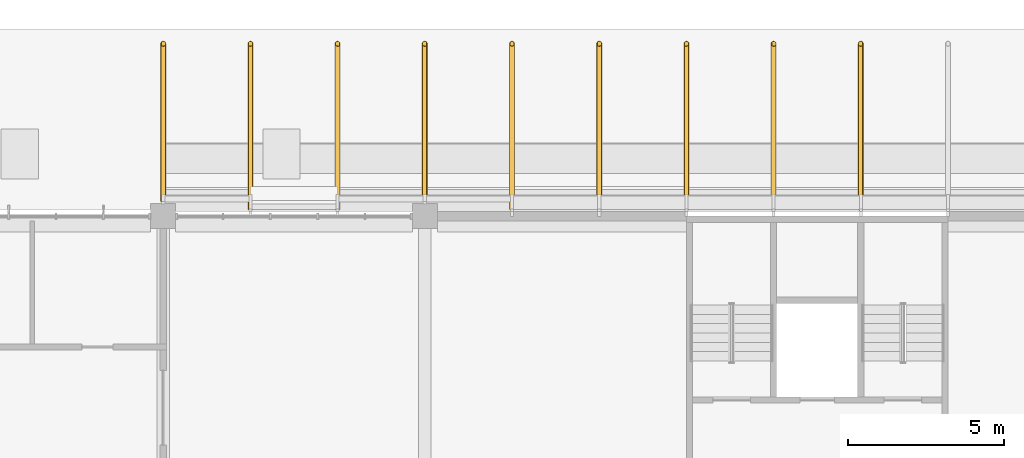
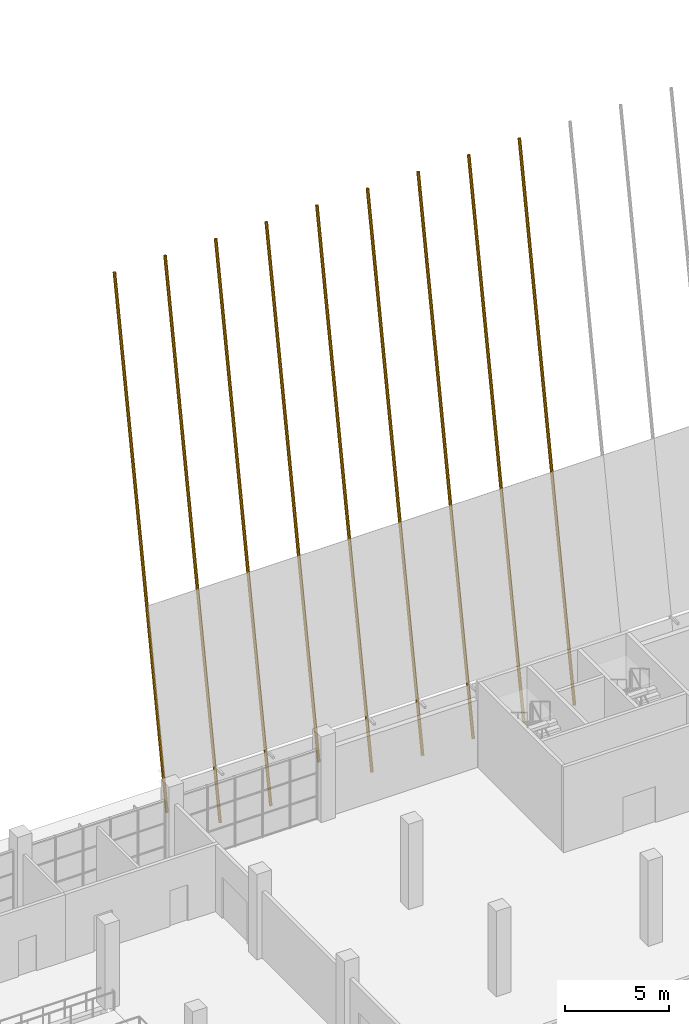
# One storey, part 92 of 101: 9 shading devices.
"""IFC4 building model written with IfcOpenShell, lengths in metres."""

import ifcopenshell
import ifcopenshell.guid

model = None  # the IFC model being written
_history = None  # IfcOwnerHistory: only IFC2X3 demands one
_inside = {}  # id of a spatial element -> (the spatial element, [elements in it])
_under = {}  # id of a project, library or spatial element -> (it, [spatial elements below it])
_declared = {}  # id of a project -> (the project, [libraries it declares])
_typed = {}  # id of a type object -> (the type object, [elements of that type])
_made_of = {}  # id of a material, layer set ... -> (it, [elements and type objects made of it])


def new_model(schema):
    """Start an empty IFC model of exactly this schema.

    Asked for "IFC4X3", IfcOpenShell would pick the latest addendum, in which some entities
    have other attributes; the version numbers below select the first issue.
    IFC2X3 requires an IfcOwnerHistory on every rooted entity: one is made here for all.
    """
    global model, _history
    if schema == "IFC4X3":
        model = ifcopenshell.file(schema_version=(4, 3, 0, 0))
    else:
        model = ifcopenshell.file(schema=schema)
    _inside.clear()
    _under.clear()
    _declared.clear()
    _typed.clear()
    _made_of.clear()
    _history = None
    if model.schema == "IFC2X3":
        org = make("IfcOrganization", Name="unknown")
        user = make(
            "IfcPersonAndOrganization",
            ThePerson=make("IfcPerson", FamilyName="unknown"),
            TheOrganization=org,
        )
        app = make(
            "IfcApplication",
            ApplicationDeveloper=org,
            Version="unknown",
            ApplicationFullName="unknown",
            ApplicationIdentifier="unknown",
        )
        _history = make(
            "IfcOwnerHistory",
            OwningUser=user,
            OwningApplication=app,
            ChangeAction="ADDED",
            CreationDate=0,
        )
    return model


def make(cls, **values):
    """One entity of the class cls with the attributes given. An attribute that is None is left unset."""
    return model.create_entity(
        cls, **{name: value for name, value in values.items() if value is not None}
    )


def rooted(cls, **values):
    """An entity with a GlobalId (a new one), such as an element, a storey or a relation."""
    return make(cls, GlobalId=ifcopenshell.guid.new(), OwnerHistory=_history, **values)


def si_unit(unit_type, name, prefix=None):
    """IfcSIUnit, for example si_unit("LENGTHUNIT", "METRE", prefix="MILLI")."""
    return make("IfcSIUnit", UnitType=unit_type, Prefix=prefix, Name=name)


def assignment(units):
    """IfcUnitAssignment: the units of a project."""
    return None if units is None else make("IfcUnitAssignment", Units=units)


def point(xyz):
    """IfcCartesianPoint."""
    return None if xyz is None else make("IfcCartesianPoint", Coordinates=xyz)


def direction(xyz):
    """IfcDirection."""
    return None if xyz is None else make("IfcDirection", DirectionRatios=xyz)


def frame(location, z_axis=None, x_axis=None):
    """IfcAxis2Placement3D, a coordinate frame: its origin and axes. An axis left out is left unset."""
    return make(
        "IfcAxis2Placement3D",
        Location=point(location),
        Axis=direction(z_axis),
        RefDirection=direction(x_axis),
    )


def frame_2d(location, x_axis=None):
    """IfcAxis2Placement2D, a coordinate frame in the plane: its origin and x axis."""
    return make(
        "IfcAxis2Placement2D", Location=point(location), RefDirection=direction(x_axis)
    )


def origin():
    """The frame at (0, 0, 0) with its axes left unset."""
    return frame((0.0, 0.0, 0.0))


def origin_2d():
    """The frame at (0, 0) in the plane with its x axis left unset."""
    return frame_2d((0.0, 0.0))


def place(relative_to, where):
    """IfcLocalPlacement: puts the frame where relative to a parent placement (None: the world)."""
    return make(
        "IfcLocalPlacement", PlacementRelTo=relative_to, RelativePlacement=where
    )


def context(
    kind, dimensions, precision=None, world=None, true_north=None, identifier=None
):
    """IfcGeometricRepresentationContext, for example the 3D "Model" context."""
    return make(
        "IfcGeometricRepresentationContext",
        ContextIdentifier=identifier,
        ContextType=kind,
        CoordinateSpaceDimension=dimensions,
        Precision=precision,
        WorldCoordinateSystem=world,
        TrueNorth=true_north,
    )


def subcontext(parent, identifier, kind, view, scale=None):
    """IfcGeometricRepresentationSubContext, for example "Body" below "Model"."""
    return make(
        "IfcGeometricRepresentationSubContext",
        ContextIdentifier=identifier,
        ContextType=kind,
        ParentContext=parent,
        TargetScale=scale,
        TargetView=view,
    )


def project(units=None, contexts=None):
    """IfcProject with its units and contexts."""
    return rooted(
        "IfcProject",
        Name="project",
        RepresentationContexts=contexts,
        UnitsInContext=assignment(units),
    )


def spatial(cls, under=None, at=None, **own):
    """A site, building, storey or space (cls), placed at a placement, below another one or the project."""
    s = rooted(cls, ObjectPlacement=at, **own)
    if under is not None:
        _under.setdefault(under.id(), (under, []))[1].append(s)
    return s


def profile(cls, at=None, kind="AREA", **sizes):
    """A parametric profile (cls). Its sizes go by their IFC names, for example OverallWidth=200.0."""
    return make(cls, ProfileType=kind, Position=at, **sizes)


def hollow_circle(**sizes):
    """IfcCircleHollowProfileDef."""
    return profile("IfcCircleHollowProfileDef", **sizes)


def extrude(swept, where, along, depth):
    """IfcExtrudedAreaSolid: the profile swept, set in the frame where, extruded along a direction by depth."""
    return make(
        "IfcExtrudedAreaSolid",
        SweptArea=swept,
        Position=where,
        ExtrudedDirection=direction(along),
        Depth=depth,
    )


def shape(context_of_items, identifier, shape_type, items):
    """IfcShapeRepresentation: the items that make up one representation, for example the "Body"."""
    return make(
        "IfcShapeRepresentation",
        ContextOfItems=context_of_items,
        RepresentationIdentifier=identifier,
        RepresentationType=shape_type,
        Items=items,
    )


def material(Name=None, Category=None):
    """IfcMaterial."""
    return make("IfcMaterial", Name=Name, Category=Category)


def material_profile(
    of_material, cross_section, Name=None, Category=None, Priority=None
):
    """IfcMaterialProfile: a cross section and its material."""
    return make(
        "IfcMaterialProfile",
        Name=Name,
        Material=of_material,
        Profile=cross_section,
        Priority=Priority,
        Category=Category,
    )


def profile_set(profiles, Name=None, composite=None):
    """IfcMaterialProfileSet."""
    return make(
        "IfcMaterialProfileSet",
        Name=Name,
        MaterialProfiles=profiles,
        CompositeProfile=composite,
    )


def made_of(thing, what):
    """Note that an element or type object is made of a material, layer set ...; save() writes the relation."""
    if what is not None:
        _made_of.setdefault(what.id(), (what, []))[1].append(thing)
    return thing


def type_object(cls, material=None, **own):
    """A type object (cls), such as IfcWallType, which elements share."""
    return made_of(rooted(cls, **own), material)


def element(
    cls,
    number,
    at=None,
    inside=None,
    cuts=None,
    type_object=None,
    material=None,
    context=None,
    identifier="Body",
    shape_type=None,
    held_by="IfcProductDefinitionShape",
    body=None,
    shapes=None,
    **own,
):
    """One element of the class cls, such as IfcWall. Its Tag is "e" and its number.

    at: its placement. inside: the storey or other place that contains it. cuts: it is an
    opening in that element (IfcRelVoidsElement). A single representation is given by context,
    identifier, shape_type and body (its items); several are given by shapes. held_by: the class
    of the entity that holds the representations. save() writes the other relations.
    """
    e = rooted(cls, Tag="e%d" % number, ObjectPlacement=at, **own)
    if body is not None:
        shapes = [shape(context, identifier, shape_type, body)]
    if shapes is not None:
        e.Representation = make(held_by, Representations=shapes)
    if inside is not None:
        _inside.setdefault(inside.id(), (inside, []))[1].append(e)
    if cuts is not None:
        rooted(
            "IfcRelVoidsElement", RelatingBuildingElement=cuts, RelatedOpeningElement=e
        )
    if type_object is not None:
        _typed.setdefault(type_object.id(), (type_object, []))[1].append(e)
    return made_of(e, material)


def aggregate(whole, parts):
    """IfcRelAggregates: a whole, such as a stair, and the parts it consists of."""
    return rooted("IfcRelAggregates", RelatingObject=whole, RelatedObjects=parts)


def save(model, path):
    """Write the relations noted so far, then the file.

    IfcRelAggregates (storeys below a building ...), IfcRelContainedInSpatialStructure (elements
    in a storey), IfcRelDefinesByType, IfcRelAssociatesMaterial and IfcRelDeclares: one each for
    every whole, place, type object, material and project.
    """
    for whole, parts in _under.values():
        aggregate(whole, parts)
    for where, things in _inside.values():
        rooted(
            "IfcRelContainedInSpatialStructure",
            RelatedElements=things,
            RelatingStructure=where,
        )
    for kind, things in _typed.values():
        rooted("IfcRelDefinesByType", RelatedObjects=things, RelatingType=kind)
    for what, things in _made_of.values():
        rooted("IfcRelAssociatesMaterial", RelatedObjects=things, RelatingMaterial=what)
    for by, libraries in _declared.values():
        rooted("IfcRelDeclares", RelatingContext=by, RelatedDefinitions=libraries)
    model.write(path)


model = new_model("IFC4")

# Units and contexts
model_context = context("Model", 3, precision=1e-05, world=origin(), true_north=direction((0.0, 1.0)))
body_context = subcontext(model_context, "Body", "Model", "MODEL_VIEW")
ifc_project = project(units=[si_unit("LENGTHUNIT", "METRE"), si_unit("AREAUNIT", "SQUARE_METRE"), si_unit("VOLUMEUNIT", "CUBIC_METRE"), si_unit("PLANEANGLEUNIT", "RADIAN"), si_unit("MASSUNIT", "GRAM", prefix="KILO")], contexts=[model_context])

# Site, building, storey
site_placement = place(None, origin())
site = spatial("IfcSite", under=ifc_project, at=site_placement, CompositionType="ELEMENT")
building_placement = place(site_placement, origin())
building = spatial("IfcBuilding", under=site, at=building_placement, Name="Almond Square Museum", CompositionType="ELEMENT")
storey_placement = place(building_placement, frame((0.0, 0.0, 5.5)))
storey = spatial("IfcBuildingStorey", under=building, at=storey_placement, Name="L01", CompositionType="ELEMENT", Elevation=5.5)

# Shading devices
ifc_material = material(Name="Structural steel S355", Category="steel")
ifc_material_profile = material_profile(ifc_material, hollow_circle(Radius=0.084228515625, WallThickness=0.008056640625, at=origin_2d()))
ifc_profile_set = profile_set([ifc_material_profile], Name="Structural steel S355")
shading_device_type = type_object("IfcShadingDeviceType", Name="Louvre post CHS 168.3 x 8", PredefinedType="USERDEFINED", material=ifc_profile_set)
shading_device_1_placement = place(storey_placement, frame((106.800048828125, 109.70556640625, 2.866455078125), z_axis=(0.0, 0.173641123258, 0.984808996869), x_axis=(-1.0, 0.0, 0.0)))
element("IfcShadingDevice", 1, at=shading_device_1_placement, inside=storey, type_object=shading_device_type, Name="Louvre post N01", ObjectType="POST", PredefinedType="USERDEFINED", context=body_context, shape_type="SweptSolid", body=[
    extrude(hollow_circle(Radius=0.084228515625, WallThickness=0.008056640625, at=origin_2d()), origin(), (0.0, 0.0, 1.0), 28.9736328125),
])
for number, where, z_axis, x_axis, name in (
    (2, (109.60009765625, 109.45556640625, 1.44873046875), (0.0, 0.173641996106, 0.984808842968), (-1.0, 0.0, 0.0), "Louvre post N02"),
    (3, (112.39990234375, 109.45556640625, 1.44873046875), (0.0, 0.173641996106, 0.984808842968), (-1.0, 0.0, 0.0), "Louvre post N03"),
):
    element("IfcShadingDevice", number, at=place(storey_placement, frame(where, z_axis=z_axis, x_axis=x_axis)), inside=storey, type_object=shading_device_type, Name=name, ObjectType="POST", PredefinedType="USERDEFINED", context=body_context, shape_type="SweptSolid", body=[
        extrude(hollow_circle(Radius=0.084228515625, WallThickness=0.008056640625, at=origin_2d()), origin(), (0.0, 0.0, 1.0), 30.4130859375),
    ])
shading_device_2_placement = place(storey_placement, frame((115.199951171875, 109.70556640625, 2.866455078125), z_axis=(0.0, 0.173641123258, 0.984808996869), x_axis=(-1.0, 0.0, 0.0)))
element("IfcShadingDevice", 4, at=shading_device_2_placement, inside=storey, type_object=shading_device_type, Name="Louvre post N04", ObjectType="POST", PredefinedType="USERDEFINED", context=body_context, shape_type="SweptSolid", body=[
    extrude(hollow_circle(Radius=0.084228515625, WallThickness=0.008056640625, at=origin_2d()), origin(), (0.0, 0.0, 1.0), 28.9736328125),
])
for number, where, z_axis, x_axis, name in (
    (5, (118.0, 109.45556640625, 1.44873046875), (0.0, 0.173641996106, 0.984808842968), (-1.0, 0.0, 0.0), "Louvre post N05"),
    (6, (120.800048828125, 109.45556640625, 1.44873046875), (0.0, 0.173641996106, 0.984808842968), (-1.0, 0.0, 0.0), "Louvre post N06"),
    (7, (123.60009765625, 109.45556640625, 1.44873046875), (0.0, 0.173641996106, 0.984808842968), (-1.0, 0.0, 0.0), "Louvre post N07"),
    (8, (126.39990234375, 109.45556640625, 1.44873046875), (0.0, 0.173641996106, 0.984808842968), (-1.0, 0.0, 0.0), "Louvre post N08"),
    (9, (129.199951171875, 109.45556640625, 1.44873046875), (0.0, 0.173641996106, 0.984808842968), (-1.0, 0.0, 0.0), "Louvre post N09"),
):
    element("IfcShadingDevice", number, at=place(storey_placement, frame(where, z_axis=z_axis, x_axis=x_axis)), inside=storey, type_object=shading_device_type, Name=name, ObjectType="POST", PredefinedType="USERDEFINED", context=body_context, shape_type="SweptSolid", body=[
        extrude(hollow_circle(Radius=0.084228515625, WallThickness=0.008056640625, at=origin_2d()), origin(), (0.0, 0.0, 1.0), 30.4130859375),
    ])

save(model, "model.ifc")
